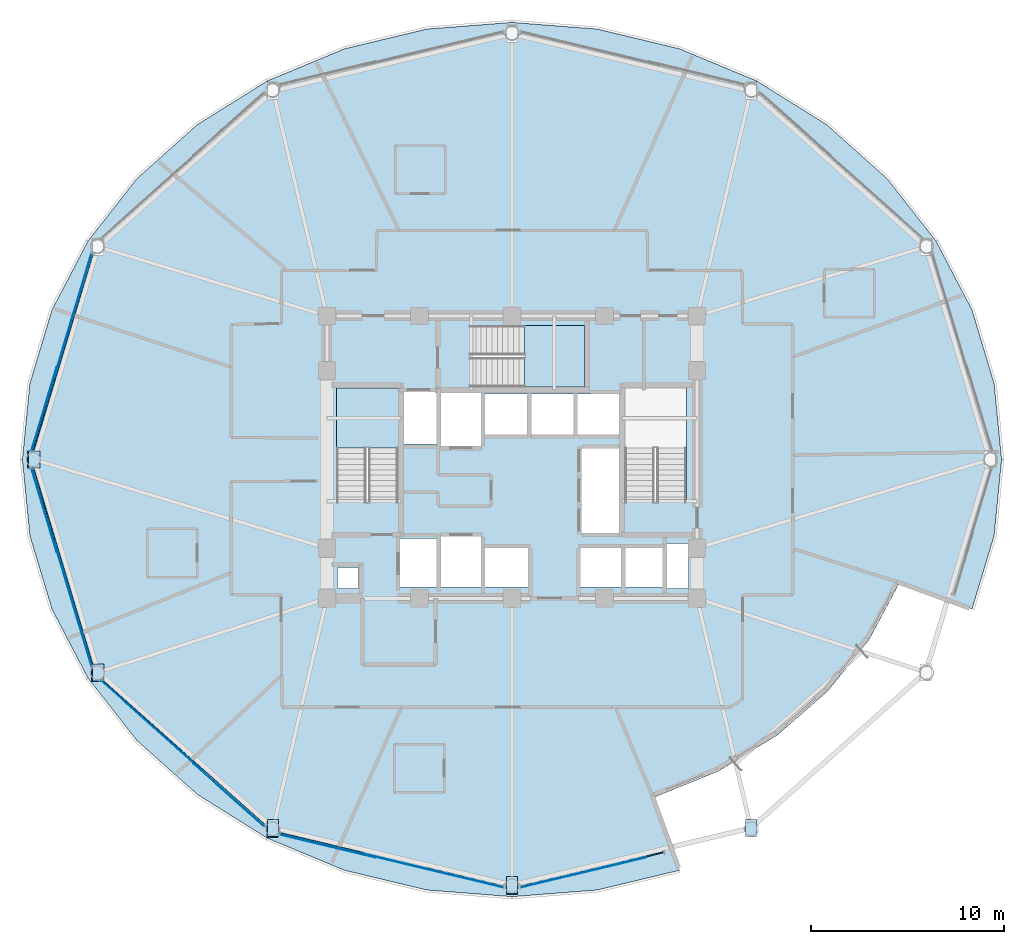
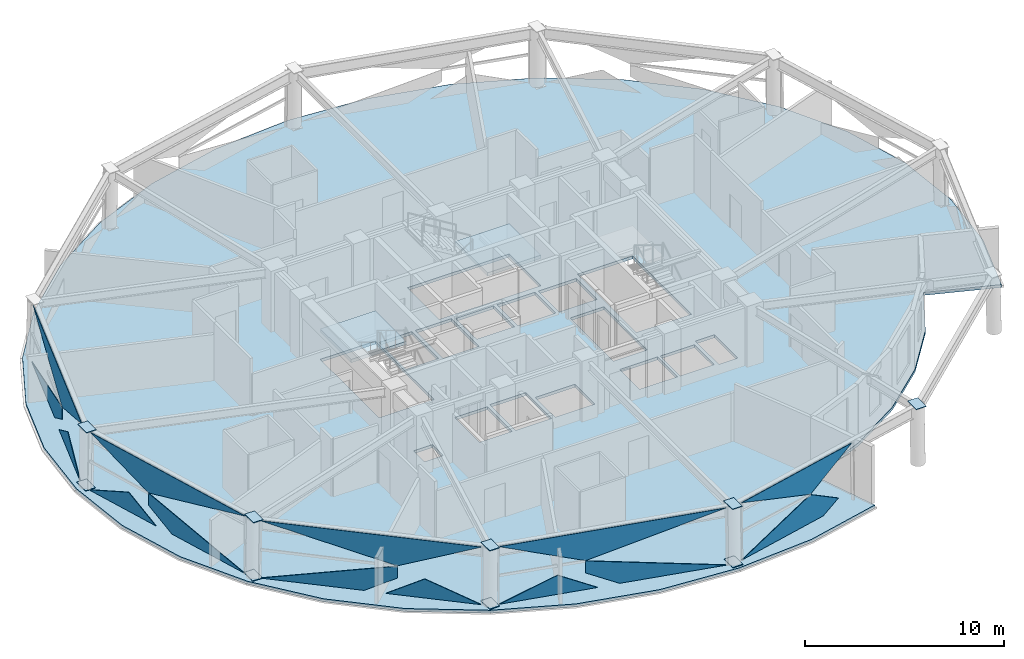
# One storey, part 8 of 16: 23 plates, 3 slabs, 7 elements without a shape of their own.
"""IFC4 building model written with IfcOpenShell, lengths in metres."""

from ifc_helpers import new_model, si_unit, direction, frame, origin, place, context, subcontext, project, spatial, polyline, outline, extrude, material, layer, layer_set, type_object, element, aggregate, save


model = new_model("IFC4")

# Units and contexts
model_context = context("Model", 3, precision=1e-05, world=origin(), true_north=direction((0.0, 1.0)))
body_context = subcontext(model_context, "Body", "Model", "MODEL_VIEW")
ifc_project = project(units=[si_unit("LENGTHUNIT", "METRE"), si_unit("AREAUNIT", "SQUARE_METRE"), si_unit("VOLUMEUNIT", "CUBIC_METRE"), si_unit("PLANEANGLEUNIT", "RADIAN"), si_unit("MASSUNIT", "GRAM", prefix="KILO")], contexts=[model_context])

# Site, building, storey
site_placement = place(None, origin())
site = spatial("IfcSite", under=ifc_project, at=site_placement, CompositionType="ELEMENT")
building_placement = place(site_placement, origin())
building = spatial("IfcBuilding", under=site, at=building_placement, Name="Vantalir Tower", CompositionType="ELEMENT")
storey_placement = place(building_placement, frame((0.0, 0.0, 145.949951171875)))
storey = spatial("IfcBuildingStorey", under=building, at=storey_placement, Name="L36", CompositionType="ELEMENT", Elevation=145.949951171875)

# Curtain wall, plates
ifc_material_1 = material(Name="Champagne-silver PVDF aluminium and double-silver Low-E glass", Category="aluminium")
ifc_layer_1 = layer(ifc_material_1, 0.199951171875)
ifc_layer_set_1 = layer_set([ifc_layer_1], Name="Champagne-silver PVDF aluminium and double-silver Low-E glass")
curtain_wall_type = type_object("IfcCurtainWallType", Name="CW-DIAMOND-Z2", PredefinedType="USERDEFINED", material=ifc_layer_set_1)
curtain_wall_1_placement = place(storey_placement, origin())
curtain_wall_1 = element("IfcCurtainWall", 1, at=curtain_wall_1_placement, inside=storey, type_object=curtain_wall_type, Name="L36 Quilted Pyramid-Diamond Curtain Wall S06", ObjectType="UNITISED CURTAIN WALL", PredefinedType="USERDEFINED")
ifc_material_2 = material(Name="Double-silver Low-E laminated glass IGU", Category="glass")
ifc_layer_2 = layer(ifc_material_2, 0.028076171875)
ifc_layer_set_2 = layer_set([ifc_layer_2], Name="Double-silver Low-E laminated glass IGU")
plate_type_1 = type_object("IfcPlateType", Name="CWP-IGU-28", PredefinedType="CURTAIN_PANEL", material=ifc_layer_set_2)
plate_1_placement = place(storey_placement, frame((9.68798828125, 35.721435546875, 0.046630859375), z_axis=(-0.957655494281, 0.287896056791, 0.003437260198), x_axis=(-0.287897757433, -0.95766115159, 2.5426e-08)))
plate_1 = element("IfcPlate", 2, at=plate_1_placement, type_object=plate_type_1, Name="CW-L36-S06 Pyramid Diamond Facet 1L", PredefinedType="CURTAIN_PANEL", context=body_context, shape_type="SweptSolid", body=[
    extrude(outline(polyline([(0.0, 0.0), (5.033920455913618, 0.0), (6.6530100238181324, 0.9956111810586544), (6.65300857898933, 1.7263285163143134), (0.0, 0.0)])), origin(), (0.0, 0.0, -1.0), 0.028076171875),
])
plate_2_placement = place(storey_placement, frame((7.89501953125, 29.8681640625, 0.046875), z_axis=(-0.957666337096, 0.287860187207, 0.003420440718), x_axis=(-0.28786187112, -0.957671939213, 0.0)))
plate_2 = element("IfcPlate", 3, at=plate_2_placement, type_object=plate_type_1, Name="CW-L36-S06 Pyramid Diamond Facet 1L Infill Light", PredefinedType="CURTAIN_PANEL", context=body_context, shape_type="SweptSolid", body=[
    extrude(outline(polyline([(0.0, 0.0), (4.618846666204608, -8.673617379884035e-19), (1.8807143787778138, 1.156500905836639), (0.0, 0.0)])), origin(), (0.0, 0.0, -1.0), 0.028076171875),
])
plate_3_placement = place(storey_placement, frame((6.657958984375, 25.435546875, 3.523193359375), z_axis=(-0.957202659704, 0.28777973253, 0.030755386539), x_axis=(0.28791660525, 0.957655484974, 2.2792638e-05)))
plate_3 = element("IfcPlate", 4, at=plate_3_placement, type_object=plate_type_1, Name="CW-L36-S06 Pyramid Diamond Facet 2U", PredefinedType="CURTAIN_PANEL", context=body_context, shape_type="SweptSolid", body=[
    extrude(outline(polyline([(0.0, 0.0), (10.711380721923996, 1.691355389077387e-17), (4.069592478748236, 1.7269839408860457), (0.0, 0.0)])), origin(), (0.0, 0.0, -1.0), 0.028076171875),
])
aggregate(curtain_wall_1, [plate_1, plate_2, plate_3])

curtain_wall_2_placement = place(storey_placement, origin())
curtain_wall_2 = element("IfcCurtainWall", 5, at=curtain_wall_2_placement, inside=storey, type_object=curtain_wall_type, Name="L36 Quilted Pyramid-Diamond Curtain Wall S07", ObjectType="UNITISED CURTAIN WALL", PredefinedType="USERDEFINED")
plate_4_placement = place(storey_placement, frame((8.23876953125, 19.099365234375, 0.046630859375), z_axis=(-0.957654113973, -0.287901073819, 0.003401423747), x_axis=(0.287902739156, -0.957659653941, -4.2855e-08)))
plate_4 = element("IfcPlate", 6, at=plate_4_placement, type_object=plate_type_1, Name="CW-L36-S07 Pyramid Diamond Facet 1L", PredefinedType="CURTAIN_PANEL", context=body_context, shape_type="SweptSolid", body=[
    extrude(outline(polyline([(0.0, 0.0), (5.033920455651799, 8.673617379884035e-19), (-1.6188543186478916, 1.7263282765631691), (-1.6188557640003323, 0.9956109431111831), (0.0, 0.0)])), origin(), (0.0, 0.0, -1.0), 0.028076171875),
])
plate_5_placement = place(storey_placement, frame((6.5654296875, 24.55517578125, 0.046875), z_axis=(-0.957666534383, -0.287860246509, 0.003359672952), x_axis=(0.28786187112, -0.957671939213, 0.0)))
plate_5 = element("IfcPlate", 7, at=plate_5_placement, type_object=plate_type_1, Name="CW-L36-S07 Pyramid Diamond Facet 1L Infill Light", PredefinedType="CURTAIN_PANEL", context=body_context, shape_type="SweptSolid", body=[
    extrude(outline(polyline([(0.0, 0.0), (4.618846666204608, 0.0), (2.7383660940525787, 1.1565006675875897), (0.0, 0.0)])), origin(), (0.0, 0.0, -1.0), 0.028076171875),
])
plate_6_placement = place(storey_placement, frame((9.741943359375, 14.3056640625, 3.5234375), z_axis=(-0.957210835147, -0.287754796176, 0.03073425377), x_axis=(-0.287891469353, 0.957663041656, -2.2790648e-05)))
plate_6 = element("IfcPlate", 8, at=plate_6_placement, type_object=plate_type_1, Name="CW-L36-S07 Pyramid Diamond Facet 2U", PredefinedType="CURTAIN_PANEL", context=body_context, shape_type="SweptSolid", body=[
    extrude(outline(polyline([(0.0, 0.0), (10.712315936048489, 1.9461428996114805e-17), (6.642488256717098, 1.7269828150243896), (0.0, 0.0)])), origin(), (0.0, 0.0, -1.0), 0.028076171875),
])
aggregate(curtain_wall_2, [plate_4, plate_5, plate_6])

curtain_wall_3_placement = place(storey_placement, origin())
curtain_wall_3 = element("IfcCurtainWall", 9, at=curtain_wall_3_placement, inside=storey, type_object=curtain_wall_type, Name="L36 Quilted Pyramid-Diamond Curtain Wall S08", ObjectType="UNITISED CURTAIN WALL", PredefinedType="USERDEFINED")
plate_7_placement = place(storey_placement, frame((10.15869140625, 13.540283203125, 0.04638671875), z_axis=(-0.665376583103, -0.746504205567, 0.002339600383), x_axis=(0.746506319114, -0.665378323534, 4.576229e-05)))
plate_7 = element("IfcPlate", 10, at=plate_7_placement, type_object=plate_type_1, Name="CW-L36-S08 Pyramid Diamond Facet 1L", PredefinedType="CURTAIN_PANEL", context=body_context, shape_type="SweptSolid", body=[
    extrude(outline(polyline([(0.0, 0.0), (5.335393148997411, 7.047314121155779e-19), (7.040545642583719, 0.9933328719211961), (7.040678226600907, 1.7264891892320173), (0.0, 0.0)])), origin(), (0.0, 0.0, -1.0), 0.028076171875),
])
plate_8_placement = place(storey_placement, frame((14.965576171875, 9.212890625, 0.046630859375), z_axis=(-0.665355062813, -0.746523726259, 0.00222856939), x_axis=(0.746525653081, -0.665356631294, 4.9858121e-05)))
plate_8 = element("IfcPlate", 11, at=plate_8_placement, type_object=plate_type_1, Name="CW-L36-S08 Pyramid Diamond Facet 1L Infill Light", PredefinedType="CURTAIN_PANEL", context=body_context, shape_type="SweptSolid", body=[
    extrude(outline(polyline([(0.0, 0.0), (4.896707250500705, 1.1384122811097797e-18), (1.9913635111846597, 1.1603039877642343), (0.0, 0.0)])), origin(), (0.0, 0.0, -1.0), 0.028076171875),
])
plate_9_placement = place(storey_placement, frame((18.67333984375, 6.025634765625, 3.5234375), z_axis=(-0.665097359702, -0.746163119713, 0.029767446935), x_axis=(-0.746493500461, 0.665392706081, 2.1540716e-05)))
plate_9 = element("IfcPlate", 12, at=plate_9_placement, type_object=plate_type_1, Name="CW-L36-S08 Pyramid Diamond Facet 2U", PredefinedType="CURTAIN_PANEL", context=body_context, shape_type="SweptSolid", body=[
    extrude(outline(polyline([(0.0, 0.0), (11.333914299524277, 1.9786689647860456e-17), (4.315665854559107, 1.7274209671822573), (0.0, 0.0)])), origin(), (0.0, 0.0, -1.0), 0.028076171875),
])
aggregate(curtain_wall_3, [plate_7, plate_8, plate_9])

curtain_wall_4_placement = place(storey_placement, origin())
curtain_wall_4 = element("IfcCurtainWall", 13, at=curtain_wall_4_placement, inside=storey, type_object=curtain_wall_type, Name="L36 Quilted Pyramid-Diamond Curtain Wall S09", ObjectType="UNITISED CURTAIN WALL", PredefinedType="USERDEFINED")
plate_10_placement = place(storey_placement, frame((25.58740234375, 4.098388671875, 0.04638671875), z_axis=(-0.232310110118, -0.972640530963, 0.001552502784), x_axis=(0.972641703115, -0.232310390127, -2.91e-08)))
plate_10 = element("IfcPlate", 14, at=plate_10_placement, type_object=plate_type_1, Name="CW-L36-S09 Pyramid Diamond Facet 1L", PredefinedType="CURTAIN_PANEL", context=body_context, shape_type="SweptSolid", body=[
    extrude(outline(polyline([(0.0, 0.0), (5.624105275381156, 4.336808689942018e-19), (-1.784803683673208, 1.7270528106404872), (-1.7847575416652666, 0.9936533256351806), (0.0, 0.0)])), origin(), (0.0, 0.0, -1.0), 0.028076171875),
])
plate_11_placement = place(storey_placement, frame((19.4169921875, 5.539306640625, 0.046630859375), z_axis=(-0.23232511391, -0.972636934376, 0.001560555849), x_axis=(0.972638118726, -0.232325396806, 0.0)))
plate_11 = element("IfcPlate", 15, at=plate_11_placement, type_object=plate_type_1, Name="CW-L36-S09 Pyramid Diamond Facet 1L Infill Light", PredefinedType="CURTAIN_PANEL", context=body_context, shape_type="SweptSolid", body=[
    extrude(outline(polyline([(0.0, 0.0), (5.16600995415014, -2.168404344971009e-19), (3.0719119702863904, 1.1655287629771018), (0.0, 0.0)])), origin(), (0.0, 0.0, -1.0), 0.028076171875),
])
plate_12_placement = place(storey_placement, frame((31.057373046875, 2.8466796875, 3.523681640625), z_axis=(-0.232172056274, -0.972243507747, 0.028960281926), x_axis=(-0.972651611226, 0.232268901837, -2.0467827e-05)))
plate_12 = element("IfcPlate", 16, at=plate_12_placement, type_object=plate_type_1, Name="CW-L36-S09 Pyramid Diamond Facet 2U", PredefinedType="CURTAIN_PANEL", context=body_context, shape_type="SweptSolid", body=[
    extrude(outline(polyline([(0.0, 0.0), (11.928018734273456, 1.0842021724855044e-19), (7.39600446127463, 1.7276240307882713), (0.0, 0.0)])), origin(), (0.0, 0.0, -1.0), 0.028076171875),
])
aggregate(curtain_wall_4, [plate_10, plate_11, plate_12])

curtain_wall_5_placement = place(storey_placement, origin())
curtain_wall_5 = element("IfcCurtainWall", 17, at=curtain_wall_5_placement, inside=storey, type_object=curtain_wall_type, Name="L36 Quilted Pyramid-Diamond Curtain Wall S10", ObjectType="UNITISED CURTAIN WALL", PredefinedType="USERDEFINED")
plate_13_placement = place(storey_placement, frame((31.9423828125, 2.791748046875, 0.047119140625), z_axis=(0.232326966494, -0.97263652114, 0.001542201247), x_axis=(0.972637661346, 0.23232730759, 4.3354755e-05)))
plate_13 = element("IfcPlate", 18, at=plate_13_placement, type_object=plate_type_1, Name="CW-L36-S10 Pyramid Diamond Facet 1L", PredefinedType="CURTAIN_PANEL", context=body_context, shape_type="SweptSolid", body=[
    extrude(outline(polyline([(0.0, 0.0), (5.625824224762895, -5.421010862427522e-20), (6.678581812708294, 0.5861369305557552), (4.7520195086913235, 1.7244051702352412), (0.0, 0.0)])), origin(), (0.0, 0.0, -1.0), 0.028076171875),
])
plate_14_placement = place(storey_placement, frame((39.38232421875, 4.623291015625, 3.522705078125), z_axis=(0.232166221217, -0.972241908034, 0.029060591689), x_axis=(-0.972652921167, -0.232263414955, 3.1917468e-05)))
plate_14 = element("IfcPlate", 19, at=plate_14_placement, type_object=plate_type_1, Name="CW-L36-S10 Pyramid Diamond Facet 2U", PredefinedType="CURTAIN_PANEL", context=body_context, shape_type="SweptSolid", body=[
    extrude(outline(polyline([(0.0, 0.0), (7.649122564010852, -8.700722434196173e-18), (2.9097681536578928, 1.725186737171077), (0.0, 0.0)])), origin(), (0.0, 0.0, -1.0), 0.028076171875),
])
aggregate(curtain_wall_5, [plate_13, plate_14])

# Plates
ifc_material_3 = material(Name="Steel S460", Category="steel")
ifc_layer_3 = layer(ifc_material_3, 0.035888671875)
ifc_layer_set_3 = layer_set([ifc_layer_3], Name="Steel S460")
plate_type_2 = type_object("IfcPlateType", Name="PLT-KN-Z2", PredefinedType="USERDEFINED", material=ifc_layer_set_3)
for number, where, z_axis, x_axis, name in (
    (20, (6.427490234375, 25.43994140625, 3.60302734375), (0.017260586116, 0.0, 0.999851024987), (0.0, -1.0, 0.0), "L36 Ring Column Top Cap RC07"),
    (21, (6.365966796875, 25.43994140625, 0.05810546875), (0.017260586116, 0.0, 0.999851024987), (0.0, -1.0, 0.0), "L36 Ring Column Base Cap RC07"),
):
    element("IfcPlate", number, at=place(storey_placement, frame(where, z_axis=z_axis, x_axis=x_axis)), inside=storey, type_object=plate_type_2, Name=name, ObjectType="FLANGE_PLATE", PredefinedType="USERDEFINED", context=body_context, shape_type="SweptSolid", body=[
        extrude(outline(polyline([(0.0, 0.0), (0.8798828125, 0.0), (0.8798828125, 0.5799203780210307), (0.0, 0.5799203780210307), (0.0, 0.0)])), origin(), (0.0, 0.0, -1.0), 0.035888671875),
    ])
plate_15_placement = place(storey_placement, frame((9.74755859375, 14.4052734375, 3.59912109375), z_axis=(0.014945264166, 0.007627220143, 0.999859222387), x_axis=(2.072502e-06, -0.999970906069, 0.007628041121)))
element("IfcPlate", 22, at=plate_15_placement, inside=storey, type_object=plate_type_2, Name="L36 Ring Column Top Cap RC08", ObjectType="FLANGE_PLATE", PredefinedType="USERDEFINED", context=body_context, shape_type="SweptSolid", body=[
    extrude(outline(polyline([(0.0, 0.0), (0.8801516292697361, 0.0), (0.8800876499615419, 0.5798969271652675), (-6.584162292098554e-05, 0.5799005758091047), (0.0, 0.0)])), origin(), (0.0, 0.0, -1.0), 0.035888671875),
])
plate_16_placement = place(storey_placement, frame((9.69482421875, 14.37841796875, 0.053955078125), z_axis=(0.01494686964, 0.007628277912, 0.999859190318), x_axis=(-2.089113e-06, -0.999970897523, 0.007629161396)))
element("IfcPlate", 23, at=plate_16_placement, inside=storey, type_object=plate_type_2, Name="L36 Ring Column Base Cap RC08", ObjectType="FLANGE_PLATE", PredefinedType="USERDEFINED", context=body_context, shape_type="SweptSolid", body=[
    extrude(outline(polyline([(0.0, 0.0), (0.8799093582007602, -1.3552527156068805e-20), (0.8800852272053743, 0.5799006040740207), (-6.640192705744523e-05, 0.5798969266961855), (0.0, 0.0)])), origin(), (0.0, 0.0, -1.0), 0.035888671875),
])
plate_17_placement = place(storey_placement, frame((18.818359375, 6.328369140625, 3.5947265625), z_axis=(0.008630476033, 0.013455550176, 0.999872223363), x_axis=(1.197088e-06, -0.999909463381, 0.013456040992)))
element("IfcPlate", 24, at=plate_17_placement, inside=storey, type_object=plate_type_2, Name="L36 Ring Column Top Cap RC09", ObjectType="FLANGE_PLATE", PredefinedType="USERDEFINED", context=body_context, shape_type="SweptSolid", body=[
    extrude(outline(polyline([(0.0, 0.0), (0.8799608388656391, -1.3552527156068805e-20), (0.8798958296526102, 0.5798545267310989), (-6.829437928676556e-05, 0.579856633594079), (0.0, 0.0)])), origin(), (0.0, 0.0, -1.0), 0.035888671875),
])
plate_18_placement = place(storey_placement, frame((18.787353515625, 6.28076171875, 0.049560546875), z_axis=(0.008632506637, 0.01345554994, 0.999872205837), x_axis=(-1.197365e-06, -0.999909463103, 0.013456061658)))
element("IfcPlate", 25, at=plate_18_placement, inside=storey, type_object=plate_type_2, Name="L36 Ring Column Base Cap RC09", ObjectType="FLANGE_PLATE", PredefinedType="USERDEFINED", context=body_context, shape_type="SweptSolid", body=[
    extrude(outline(polyline([(0.0, 0.0), (0.8799641240344195, -1.3552527156068805e-20), (0.8801385593931541, 0.5801007938552224), (0.00017772053003791967, 0.5800986865044007), (0.0, 0.0)])), origin(), (0.0, 0.0, -1.0), 0.035888671875),
])
for number, where, z_axis, x_axis, name in (
    (26, (31.2099609375, 3.371337890625, 3.59130859375), (0.0, 0.015259044553, 0.999883574002), (0.0, -0.999883574002, 0.015259044553), "L36 Ring Column Top Cap RC10"),
    (27, (31.2099609375, 3.316650390625, 0.04638671875), (0.0, 0.015259044553, 0.999883574002), (0.0, -0.999883574002, 0.015259044553), "L36 Ring Column Base Cap RC10"),
):
    element("IfcPlate", number, at=place(storey_placement, frame(where, z_axis=z_axis, x_axis=x_axis)), inside=storey, type_object=plate_type_2, Name=name, ObjectType="FLANGE_PLATE", PredefinedType="USERDEFINED", context=body_context, shape_type="SweptSolid", body=[
        extrude(outline(polyline([(0.0, 0.0), (0.8799852656626449, 0.0), (0.8799852656626449, 0.5800781250000001), (0.0, 0.5800781250000001), (0.0, 0.0)])), origin(), (0.0, 0.0, -1.0), 0.035888671875),
    ])
plate_19_placement = place(storey_placement, frame((43.601806640625, 6.328369140625, 3.589599609375), z_axis=(-0.008630476033, 0.013455550176, 0.999872223363), x_axis=(1.197083e-06, -0.999909463103, 0.013456061654)))
element("IfcPlate", 28, at=plate_19_placement, inside=storey, type_object=plate_type_2, Name="L36 Ring Column Top Cap RC11", ObjectType="FLANGE_PLATE", PredefinedType="USERDEFINED", context=body_context, shape_type="SweptSolid", body=[
    extrude(outline(polyline([(0.0, 0.0), (0.8799641240344191, 2.710505431213761e-20), (0.8800305215699976, 0.5798545265737881), (6.96827068805386e-05, 0.5798566334289026), (0.0, 0.0)])), origin(), (0.0, 0.0, -1.0), 0.035888671875),
])

# Stair, slab
ifc_material_4 = material(Name="Concrete C40/50", Category="concrete")
stair_type = type_object("IfcStairType", Name="STR-CORE-1450", PredefinedType="HALF_TURN_STAIR", material=ifc_material_4)
stair_1_placement = place(storey_placement, origin())
stair_1 = element("IfcStair", 29, at=stair_1_placement, inside=storey, type_object=stair_type, Name="L36 Core Exit Stair 1", PredefinedType="HALF_TURN_STAIR")
ifc_layer_4 = layer(ifc_material_4, 0.199951171875)
ifc_layer_set_4 = layer_set([ifc_layer_4], Name="Concrete C40/50")
slab_type_1 = type_object("IfcSlabType", Name="SL-LAND-200", PredefinedType="LANDING", material=ifc_layer_set_4)
slab_1_placement = place(storey_placement, frame((0.0, 0.0, 1.675048828125)))
slab_1 = element("IfcSlab", 30, at=slab_1_placement, type_object=slab_type_1, Name="ST1 landing 1", PredefinedType="LANDING", context=body_context, shape_type="SweptSolid", body=[
    extrude(outline(polyline([(25.60009765625, 25.590087890625), (25.60009765625, 28.699951171875), (22.39990234375, 28.699951171875), (22.39990234375, 25.590087890625), (25.60009765625, 25.590087890625)])), origin(), (0.0, 0.0, 1.0), 0.199951171875),
])
aggregate(stair_1, [slab_1])

stair_2_placement = place(storey_placement, origin())
stair_2 = element("IfcStair", 31, at=stair_2_placement, inside=storey, type_object=stair_type, Name="L36 Core Exit Stair 3", PredefinedType="HALF_TURN_STAIR")
slab_2_placement = place(storey_placement, frame((0.0, 0.0, 1.675048828125)))
slab_2 = element("IfcSlab", 32, at=slab_2_placement, type_object=slab_type_1, Name="ST3 landing 1", PredefinedType="LANDING", context=body_context, shape_type="SweptSolid", body=[
    extrude(outline(polyline([(32.139892578125, 28.75), (35.25, 28.75), (35.25, 31.949951171875), (32.139892578125, 31.949951171875), (32.139892578125, 28.75)])), origin(), (0.0, 0.0, 1.0), 0.199951171875),
])
aggregate(stair_2, [slab_2])

# Slab
ifc_layer_5 = layer(ifc_material_4, 0.179931640625)
ifc_layer_set_5 = layer_set([ifc_layer_5], Name="Concrete C40/50")
slab_type_2 = type_object("IfcSlabType", Name="SL-TWR-180", PredefinedType="FLOOR", material=ifc_layer_set_5)
slab_3_placement = place(storey_placement, frame((0.0, 0.0, -0.179931640625)))
element("IfcSlab", 33, at=slab_3_placement, inside=storey, type_object=slab_type_2, Name="L36 Primary Structural Slab", PredefinedType="FLOOR", context=body_context, shape_type="SweptSolid", body=[
    extrude(outline(polyline([(15.176025390625, 7.631103515625), (18.802001953125, 5.364013671875), (22.81396484375, 3.693115234375), (27.090087890625, 2.669921875), (31.5, 2.325927734375), (35.909912109375, 2.669921875), (40.18603515625, 3.693115234375), (38.818115234375, 7.451904296875), (42.197998046875, 8.827880859375), (45.251953125, 10.695068359375), (47.889892578125, 12.9970703125), (50.029052734375, 15.6630859375), (51.60498046875, 18.613037109375), (55.363037109375, 17.2451171875), (56.509033203125, 21.06298828125), (56.89501953125, 25.0), (56.509033203125, 28.93701171875), (55.363037109375, 32.7548828125), (53.492919921875, 36.3369140625), (50.9541015625, 39.574951171875), (47.823974609375, 42.368896484375), (44.197998046875, 44.635986328125), (40.18603515625, 46.306884765625), (35.909912109375, 47.330078125), (31.5, 47.674072265625), (27.090087890625, 47.330078125), (22.81396484375, 46.306884765625), (18.802978515625, 44.635986328125), (15.176025390625, 42.368896484375), (12.0458984375, 39.574951171875), (9.507080078125, 36.3369140625), (7.636962890625, 32.7548828125), (6.490966796875, 28.93701171875), (6.10498046875, 25.0), (6.490966796875, 21.06298828125), (7.636962890625, 17.2451171875), (9.507080078125, 13.6630859375), (12.0458984375, 10.425048828125), (15.176025390625, 7.631103515625)]), holes=[polyline([(22.39990234375, 22.7900390625), (22.39990234375, 28.699951171875), (25.60009765625, 28.699951171875), (25.60009765625, 22.7900390625), (22.39990234375, 22.7900390625)]), polyline([(37.35009765625, 28.699951171875), (40.550048828125, 28.699951171875), (40.550048828125, 22.7900390625), (37.35009765625, 22.7900390625), (37.35009765625, 28.699951171875)]), polyline([(35.25, 28.75), (29.340087890625, 28.75), (29.340087890625, 31.949951171875), (35.25, 31.949951171875), (35.25, 28.75)]), polyline([(27.60009765625, 18.39990234375), (25.699951171875, 18.39990234375), (25.699951171875, 20.89990234375), (27.60009765625, 20.89990234375), (27.60009765625, 18.39990234375)]), polyline([(25.699951171875, 25.800048828125), (25.699951171875, 28.5), (27.60009765625, 28.5), (27.60009765625, 25.800048828125), (25.699951171875, 25.800048828125)]), polyline([(27.800048828125, 21.0), (29.89990234375, 21.0), (29.89990234375, 18.39990234375), (27.800048828125, 18.39990234375), (27.800048828125, 21.0)]), polyline([(29.89990234375, 28.5), (29.89990234375, 25.699951171875), (27.800048828125, 25.699951171875), (27.800048828125, 28.5), (29.89990234375, 28.5)]), polyline([(32.39990234375, 18.39990234375), (30.10009765625, 18.39990234375), (30.10009765625, 20.39990234375), (32.39990234375, 20.39990234375), (32.39990234375, 18.39990234375)]), polyline([(37.35009765625, 18.39990234375), (37.35009765625, 20.39990234375), (39.35009765625, 20.39990234375), (39.35009765625, 18.39990234375), (37.35009765625, 18.39990234375)]), polyline([(35.0, 20.39990234375), (37.199951171875, 20.39990234375), (37.199951171875, 18.39990234375), (35.0, 18.39990234375), (35.0, 20.39990234375)]), polyline([(32.300048828125, 28.39990234375), (32.300048828125, 26.300048828125), (30.10009765625, 26.300048828125), (30.10009765625, 28.39990234375), (32.300048828125, 28.39990234375)]), polyline([(34.699951171875, 26.300048828125), (32.5, 26.300048828125), (32.5, 28.39990234375), (34.699951171875, 28.39990234375), (34.699951171875, 26.300048828125)]), polyline([(34.89990234375, 26.300048828125), (34.89990234375, 28.39990234375), (37.10009765625, 28.39990234375), (37.10009765625, 26.300048828125), (34.89990234375, 26.300048828125)]), polyline([(35.10009765625, 25.56005859375), (37.06005859375, 25.56005859375), (37.06005859375, 21.199951171875), (35.10009765625, 21.199951171875), (35.10009765625, 25.56005859375)]), polyline([(23.550048828125, 19.39990234375), (23.550048828125, 18.300048828125), (22.449951171875, 18.300048828125), (22.449951171875, 19.39990234375), (23.550048828125, 19.39990234375)]), polyline([(40.64990234375, 18.300048828125), (39.550048828125, 18.300048828125), (39.550048828125, 20.64990234375), (40.64990234375, 20.64990234375), (40.64990234375, 18.300048828125)])]), origin(), (0.0, 0.0, 1.0), 0.179931640625),
])

save(model, "model.ifc")
